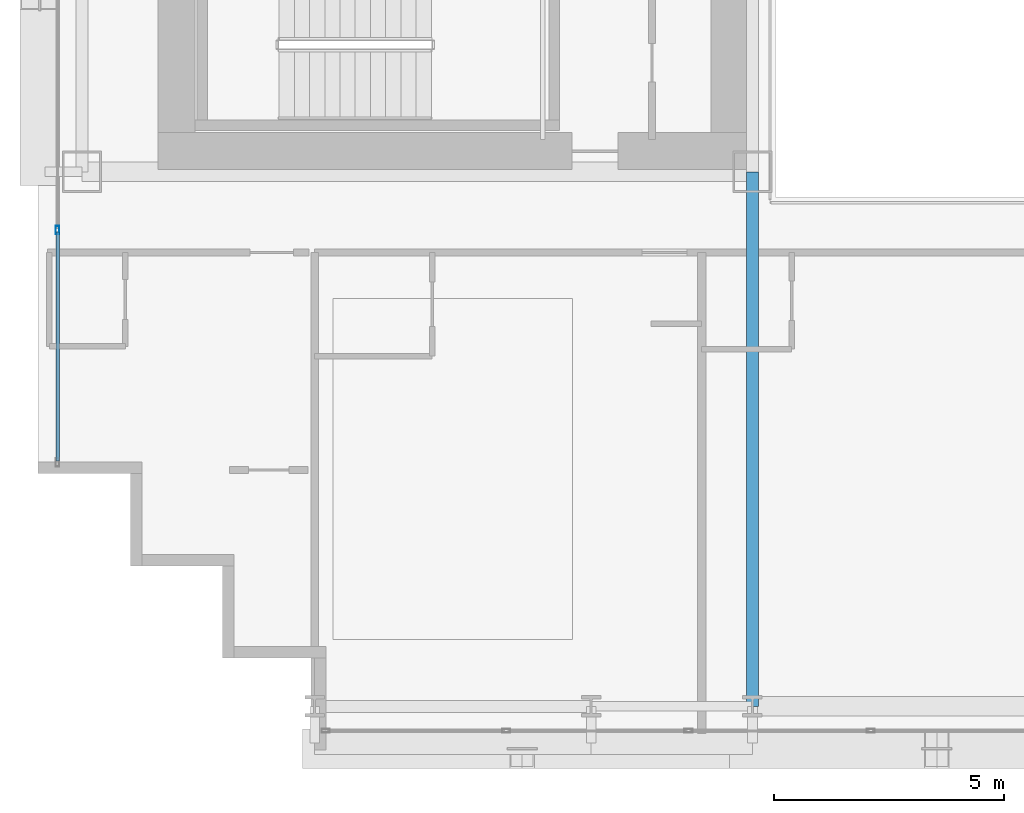
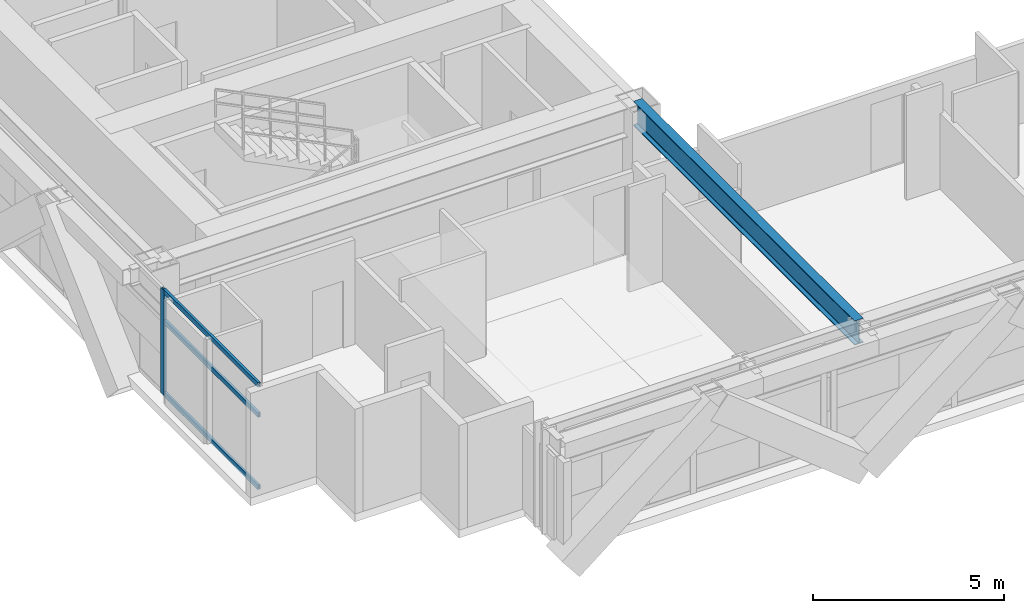
# One storey, part 3 of 35: 4 members, 1 beam, 1 element without a shape of its own.
"""IFC4 building model written with IfcOpenShell, lengths in metres."""

from ifc_helpers import new_model, si_unit, direction, frame, origin, origin_2d, place, context, subcontext, project, spatial, hollow_rectangle, i_section, extrude, source, transform, mapped, material, layer, layer_set, material_profile, profile_set, type_object, element, aggregate, save


model = new_model("IFC4")

# Units and contexts
model_context = context("Model", 3, precision=1e-05, world=origin(), true_north=direction((0.0, 1.0)))
body_context = subcontext(model_context, "Body", "Model", "MODEL_VIEW")
ifc_project = project(units=[si_unit("LENGTHUNIT", "METRE"), si_unit("AREAUNIT", "SQUARE_METRE"), si_unit("VOLUMEUNIT", "CUBIC_METRE"), si_unit("PLANEANGLEUNIT", "RADIAN"), si_unit("MASSUNIT", "GRAM", prefix="KILO")], contexts=[model_context])

# Site, building, storey
site_placement = place(None, origin())
site = spatial("IfcSite", under=ifc_project, at=site_placement, CompositionType="ELEMENT")
building_placement = place(site_placement, origin())
building = spatial("IfcBuilding", under=site, at=building_placement, Name="Ocotamira Hotel", CompositionType="ELEMENT")
storey_placement = place(building_placement, frame((0.0, 0.0, 63.60009765625)))
storey = spatial("IfcBuildingStorey", under=building, at=storey_placement, Name="L15", CompositionType="ELEMENT", Elevation=63.60009765625)

# Beam
ifc_material_1 = material(Name="Steel ASTM A992 Grade 50", Category="steel")
ifc_material_profile_1 = material_profile(ifc_material_1, i_section(OverallWidth=0.26611328125, OverallDepth=0.779052734375, WebThickness=0.0166015625, FlangeThickness=0.030029296875, FilletRadius=0.01806640625, at=origin_2d()), Name="W30X148")
ifc_profile_set_1 = profile_set([ifc_material_profile_1], Name="Steel ASTM A992 Grade 50")
beam_type = type_object("IfcBeamType", Name="BM-GIRD-W30X148", PredefinedType="BEAM", material=ifc_profile_set_1)
shared_shape_1 = source(origin(), body_context, "Body", "SweptSolid", [
    extrude(i_section(OverallWidth=0.26611328125, OverallDepth=0.779052734375, WebThickness=0.0166015625, FlangeThickness=0.030029296875, FilletRadius=0.01806640625, at=origin_2d()), origin(), (0.0, 0.0, 1.0), 11.60009765625),
])
beam_placement = place(storey_placement, frame((23.5, 2.949951171875, 2.96044921875), z_axis=(0.0, 1.0, 0.0), x_axis=(-1.0, 0.0, 0.0)))
element("IfcBeam", 1, at=beam_placement, inside=storey, type_object=beam_type, Name="L15 Beam X23.5 Y2.95-14.55", PredefinedType="BEAM", context=body_context, shape_type="MappedRepresentation", body=[
    mapped(shared_shape_1, transform((0.0, 0.0, 0.0), scale=1.0)),
])

# Curtain wall, members
ifc_material_2 = material(Name="Anodised pale-metal aluminium and solar glass", Category="aluminium")
ifc_layer = layer(ifc_material_2, 0.179931640625)
ifc_layer_set = layer_set([ifc_layer], Name="Anodised pale-metal aluminium and solar glass")
curtain_wall_type = type_object("IfcCurtainWallType", Name="CW-SYS2-Z1", PredefinedType="NOTDEFINED", material=ifc_layer_set)
curtain_wall_placement = place(storey_placement, origin())
curtain_wall = element("IfcCurtainWall", 2, at=curtain_wall_placement, inside=storey, type_object=curtain_wall_type, Name="L15 Curtain Wall CW-2 CW-L15-W", PredefinedType="NOTDEFINED")
ifc_material_3 = material(Name="Anodised pale-metal aluminium 6063-T6", Category="aluminium")
ifc_material_profile_2 = material_profile(ifc_material_3, hollow_rectangle(XDim=0.080078125, YDim=0.179931640625, WallThickness=0.006103515625, at=origin_2d()), Name="HSS180X80X6")
ifc_profile_set_2 = profile_set([ifc_material_profile_2], Name="Anodised pale-metal aluminium 6063-T6")
member_type_1 = type_object("IfcMemberType", Name="CWM-180X75", PredefinedType="MULLION", material=ifc_profile_set_2)
shared_shape_2 = source(origin(), body_context, "Body", "SweptSolid", [
    extrude(hollow_rectangle(XDim=0.080078125, YDim=0.179931640625, WallThickness=0.006103515625, at=origin_2d()), origin(), (0.0, 0.0, 1.0), 3.349853515625),
])
member_1_placement = place(storey_placement, frame((8.419921875, 13.28564453125, 0.0), z_axis=(0.0, 0.0, 1.0), x_axis=(-1.0, 0.0, 0.0)))
member_1 = element("IfcMember", 3, at=member_1_placement, type_object=member_type_1, Name="CW-2 mullion 2", PredefinedType="MULLION", context=body_context, shape_type="MappedRepresentation", body=[
    mapped(shared_shape_2, transform((0.0, 0.0, 0.0), scale=1.0)),
])
ifc_material_profile_3 = material_profile(ifc_material_3, hollow_rectangle(XDim=0.074951171875, YDim=0.14990234375, WallThickness=0.006103515625, at=origin_2d()), Name="HSS150X75X6")
ifc_profile_set_3 = profile_set([ifc_material_profile_3], Name="Anodised pale-metal aluminium 6063-T6")
member_type_2 = type_object("IfcMemberType", Name="CWT-150X75", PredefinedType="USERDEFINED", material=ifc_profile_set_3)
shared_shape_3 = source(origin(), body_context, "Body", "SweptSolid", [
    extrude(hollow_rectangle(XDim=0.074951171875, YDim=0.14990234375, WallThickness=0.006103515625, at=origin_2d()), origin(), (0.0, 0.0, 1.0), 4.965576171875),
])
member_2_placement = place(storey_placement, frame((8.419921875, 8.280029296875, 0.037353515625), z_axis=(0.0, 1.0, 0.0), x_axis=(-1.0, 0.0, 0.0)))
member_2 = element("IfcMember", 4, at=member_2_placement, type_object=member_type_2, Name="CW-2 transom 1.1", ObjectType="TRANSOM", PredefinedType="USERDEFINED", context=body_context, shape_type="MappedRepresentation", body=[
    mapped(shared_shape_3, transform((0.0, 0.0, 0.0), scale=1.0)),
])
member_3_placement = place(storey_placement, frame((8.419921875, 8.280029296875, 2.349853515625), z_axis=(0.0, 1.0, 0.0), x_axis=(-1.0, 0.0, 0.0)))
member_3 = element("IfcMember", 5, at=member_3_placement, type_object=member_type_2, Name="CW-2 transom 1.2", ObjectType="TRANSOM", PredefinedType="USERDEFINED", context=body_context, shape_type="MappedRepresentation", body=[
    mapped(shared_shape_3, transform((0.0, 0.0, 0.0), scale=1.0)),
])
member_4_placement = place(storey_placement, frame((8.419921875, 8.280029296875, 3.3125), z_axis=(0.0, 1.0, 0.0), x_axis=(-1.0, 0.0, 0.0)))
member_4 = element("IfcMember", 6, at=member_4_placement, type_object=member_type_2, Name="CW-2 transom 1.3", ObjectType="TRANSOM", PredefinedType="USERDEFINED", context=body_context, shape_type="MappedRepresentation", body=[
    mapped(shared_shape_3, transform((0.0, 0.0, 0.0), scale=1.0)),
])
aggregate(curtain_wall, [member_1, member_2, member_3, member_4])

save(model, "model.ifc")
